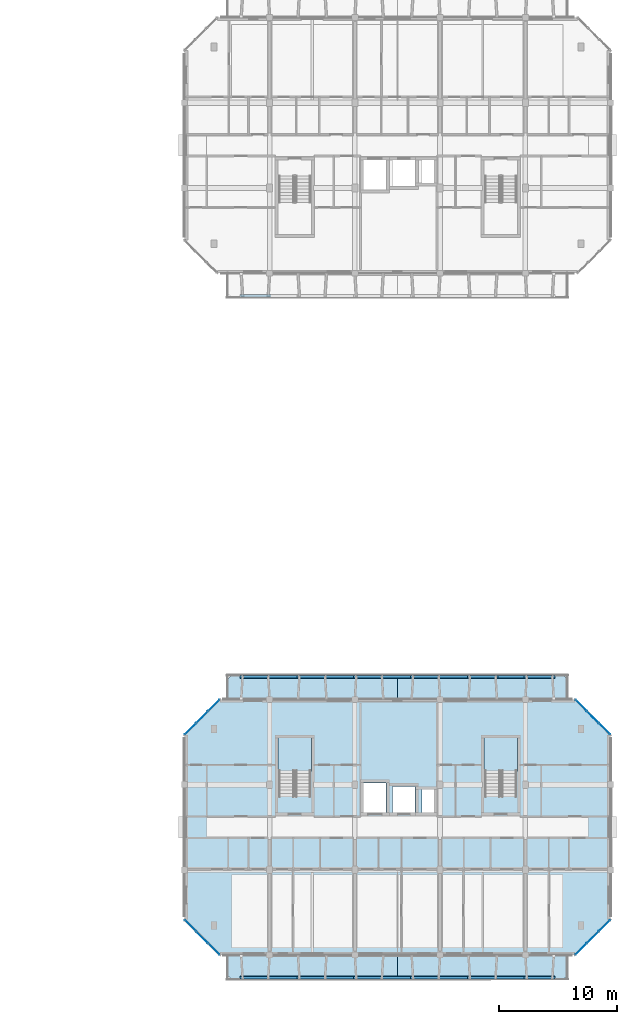
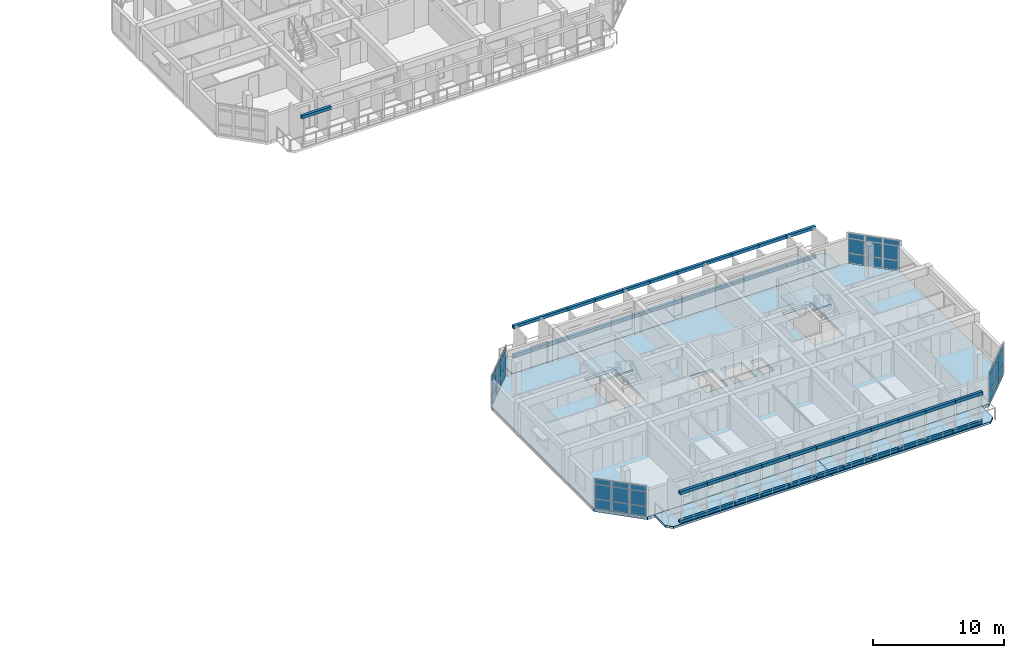
# One storey, part 13 of 44: 81 plates, 7 slabs, 6 elements without a shape of their own.
"""IFC4 building model written with IfcOpenShell, lengths in metres."""

from ifc_helpers import new_model, si_unit, direction, frame, origin, origin_2d, place, context, subcontext, project, spatial, polyline, rectangle, outline, extrude, material, layer, layer_set, type_object, element, aggregate, save


model = new_model("IFC4")

# Units and contexts
model_context = context("Model", 3, precision=1e-05, world=origin(), true_north=direction((0.0, 1.0)))
body_context = subcontext(model_context, "Body", "Model", "MODEL_VIEW")
ifc_project = project(units=[si_unit("LENGTHUNIT", "METRE"), si_unit("AREAUNIT", "SQUARE_METRE"), si_unit("VOLUMEUNIT", "CUBIC_METRE"), si_unit("PLANEANGLEUNIT", "RADIAN"), si_unit("MASSUNIT", "GRAM", prefix="KILO")], contexts=[model_context])

# Site, building, storey
site_placement = place(None, origin())
site = spatial("IfcSite", under=ifc_project, at=site_placement, CompositionType="ELEMENT")
building_placement = place(site_placement, origin())
building = spatial("IfcBuilding", under=site, at=building_placement, Name="Ochrevale Crest", CompositionType="ELEMENT")
storey_placement = place(building_placement, frame((0.0, 0.0, 21.300048828125)))
storey = spatial("IfcBuildingStorey", under=building, at=storey_placement, Name="L06", CompositionType="ELEMENT", Elevation=21.300048828125)

# Curtain wall, plates
ifc_material_1 = material(Name="Anodised aluminium 6063-T5", Category="aluminium")
ifc_layer_1 = layer(ifc_material_1, 0.14990234375)
ifc_layer_set_1 = layer_set([ifc_layer_1], Name="Anodised aluminium 6063-T5")
curtain_wall_type_1 = type_object("IfcCurtainWallType", Name="CW-WG-240x285", PredefinedType="NOTDEFINED", material=ifc_layer_set_1)
curtain_wall_1_placement = place(storey_placement, origin())
curtain_wall_1 = element("IfcCurtainWall", 1, at=curtain_wall_1_placement, inside=storey, type_object=curtain_wall_type_1, Name="Block C L06 chamfered corner wintergarden curtain wall 4", PredefinedType="NOTDEFINED")
ifc_material_2 = material(Name="Double-glazed low-E insulated glass unit", Category="glass")
ifc_layer_2 = layer(ifc_material_2, 0.028076171875)
ifc_layer_set_2 = layer_set([ifc_layer_2], Name="Double-glazed low-E insulated glass unit")
plate_type_1 = type_object("IfcPlateType", Name="CW-PNL-IGU28", PredefinedType="CURTAIN_PANEL", material=ifc_layer_set_2)
plate_1_placement = place(storey_placement, frame((165.086669921875, 33.51318359375, 0.06005859375), z_axis=(0.0, 0.0, 1.0), x_axis=(-0.707106781187, 0.707106781187, 0.0)))
plate_1 = element("IfcPlate", 2, at=plate_1_placement, type_object=plate_type_1, Name="CW15 panel 1.1", PredefinedType="CURTAIN_PANEL", context=body_context, shape_type="SweptSolid", body=[
    extrude(rectangle(XDim=1.3017578125, YDim=0.028076171875, at=origin_2d()), origin(), (0.0, 0.0, 1.0), 0.860107421875),
])
plate_2_placement = place(storey_placement, frame((165.086669921875, 33.51318359375, 0.97998046875), z_axis=(0.0, 0.0, 1.0), x_axis=(-0.707106781187, 0.707106781187, 0.0)))
plate_2 = element("IfcPlate", 3, at=plate_2_placement, type_object=plate_type_1, Name="CW15 panel 1.2", PredefinedType="CURTAIN_PANEL", context=body_context, shape_type="SweptSolid", body=[
    extrude(rectangle(XDim=1.3017578125, YDim=0.028076171875, at=origin_2d()), origin(), (0.0, 0.0, 1.0), 1.31494140625),
])
plate_3_placement = place(storey_placement, frame((165.086669921875, 33.51318359375, 2.35498046875), z_axis=(0.0, 0.0, 1.0), x_axis=(-0.707106781187, 0.707106781187, 0.0)))
plate_3 = element("IfcPlate", 4, at=plate_3_placement, type_object=plate_type_1, Name="CW15 panel 1.3", PredefinedType="CURTAIN_PANEL", context=body_context, shape_type="SweptSolid", body=[
    extrude(rectangle(XDim=1.3017578125, YDim=0.028076171875, at=origin_2d()), origin(), (0.0, 0.0, 1.0), 0.4599609375),
])
plate_4_placement = place(storey_placement, frame((164.10009765625, 34.5, 0.06005859375), z_axis=(0.0, 0.0, 1.0), x_axis=(-0.707106781187, 0.707106781187, 0.0)))
plate_4 = element("IfcPlate", 5, at=plate_4_placement, type_object=plate_type_1, Name="CW15 panel 2.1", PredefinedType="CURTAIN_PANEL", context=body_context, shape_type="SweptSolid", body=[
    extrude(rectangle(XDim=1.339111328125, YDim=0.028076171875, at=origin_2d()), origin(), (0.0, 0.0, 1.0), 0.860107421875),
])
plate_5_placement = place(storey_placement, frame((164.10009765625, 34.5, 0.97998046875), z_axis=(0.0, 0.0, 1.0), x_axis=(-0.707106781187, 0.707106781187, 0.0)))
plate_5 = element("IfcPlate", 6, at=plate_5_placement, type_object=plate_type_1, Name="CW15 panel 2.2", PredefinedType="CURTAIN_PANEL", context=body_context, shape_type="SweptSolid", body=[
    extrude(rectangle(XDim=1.339111328125, YDim=0.028076171875, at=origin_2d()), origin(), (0.0, 0.0, 1.0), 1.31494140625),
])
plate_6_placement = place(storey_placement, frame((164.10009765625, 34.5, 2.35498046875), z_axis=(0.0, 0.0, 1.0), x_axis=(-0.707106781187, 0.707106781187, 0.0)))
plate_6 = element("IfcPlate", 7, at=plate_6_placement, type_object=plate_type_1, Name="CW15 panel 2.3", PredefinedType="CURTAIN_PANEL", context=body_context, shape_type="SweptSolid", body=[
    extrude(rectangle(XDim=1.339111328125, YDim=0.028076171875, at=origin_2d()), origin(), (0.0, 0.0, 1.0), 0.4599609375),
])
plate_7_placement = place(storey_placement, frame((163.11328125, 35.48681640625, 0.06005859375), z_axis=(0.0, 0.0, 1.0), x_axis=(-0.707106781187, 0.707106781187, 0.0)))
plate_7 = element("IfcPlate", 8, at=plate_7_placement, type_object=plate_type_1, Name="CW15 panel 3.1", PredefinedType="CURTAIN_PANEL", context=body_context, shape_type="SweptSolid", body=[
    extrude(rectangle(XDim=1.3017578125, YDim=0.028076171875, at=origin_2d()), origin(), (0.0, 0.0, 1.0), 0.860107421875),
])
plate_8_placement = place(storey_placement, frame((163.11328125, 35.48681640625, 0.97998046875), z_axis=(0.0, 0.0, 1.0), x_axis=(-0.707106781187, 0.707106781187, 0.0)))
plate_8 = element("IfcPlate", 9, at=plate_8_placement, type_object=plate_type_1, Name="CW15 panel 3.2", PredefinedType="CURTAIN_PANEL", context=body_context, shape_type="SweptSolid", body=[
    extrude(rectangle(XDim=1.3017578125, YDim=0.028076171875, at=origin_2d()), origin(), (0.0, 0.0, 1.0), 1.31494140625),
])
plate_9_placement = place(storey_placement, frame((163.11328125, 35.48681640625, 2.35498046875), z_axis=(0.0, 0.0, 1.0), x_axis=(-0.707106781187, 0.707106781187, 0.0)))
plate_9 = element("IfcPlate", 10, at=plate_9_placement, type_object=plate_type_1, Name="CW15 panel 3.3", PredefinedType="CURTAIN_PANEL", context=body_context, shape_type="SweptSolid", body=[
    extrude(rectangle(XDim=1.3017578125, YDim=0.028076171875, at=origin_2d()), origin(), (0.0, 0.0, 1.0), 0.4599609375),
])
aggregate(curtain_wall_1, [plate_1, plate_2, plate_3, plate_4, plate_5, plate_6, plate_7, plate_8, plate_9])

ifc_layer_3 = layer(ifc_material_1, 0.14990234375)
ifc_layer_set_3 = layer_set([ifc_layer_3], Name="Anodised aluminium 6063-T5")
curtain_wall_type_2 = type_object("IfcCurtainWallType", Name="CW-WG-320x285", PredefinedType="NOTDEFINED", material=ifc_layer_set_3)
curtain_wall_2_placement = place(storey_placement, origin())
curtain_wall_2 = element("IfcCurtainWall", 11, at=curtain_wall_2_placement, inside=storey, type_object=curtain_wall_type_2, Name="Block C L06 chamfered corner wintergarden curtain wall 6", PredefinedType="NOTDEFINED")
plate_10_placement = place(storey_placement, frame((132.086669921875, 35.48681640625, 0.06005859375), z_axis=(0.0, 0.0, 1.0), x_axis=(-0.707106781187, -0.707106781187, 0.0)))
plate_10 = element("IfcPlate", 12, at=plate_10_placement, type_object=plate_type_1, Name="CW17 panel 1.1", PredefinedType="CURTAIN_PANEL", context=body_context, shape_type="SweptSolid", body=[
    extrude(rectangle(XDim=1.3017578125, YDim=0.028076171875, at=origin_2d()), origin(), (0.0, 0.0, 1.0), 0.860107421875),
])
plate_11_placement = place(storey_placement, frame((132.086669921875, 35.48681640625, 0.97998046875), z_axis=(0.0, 0.0, 1.0), x_axis=(-0.707106781187, -0.707106781187, 0.0)))
plate_11 = element("IfcPlate", 13, at=plate_11_placement, type_object=plate_type_1, Name="CW17 panel 1.2", PredefinedType="CURTAIN_PANEL", context=body_context, shape_type="SweptSolid", body=[
    extrude(rectangle(XDim=1.3017578125, YDim=0.028076171875, at=origin_2d()), origin(), (0.0, 0.0, 1.0), 1.31494140625),
])
plate_12_placement = place(storey_placement, frame((132.086669921875, 35.48681640625, 2.35498046875), z_axis=(0.0, 0.0, 1.0), x_axis=(-0.707106781187, -0.707106781187, 0.0)))
plate_12 = element("IfcPlate", 14, at=plate_12_placement, type_object=plate_type_1, Name="CW17 panel 1.3", PredefinedType="CURTAIN_PANEL", context=body_context, shape_type="SweptSolid", body=[
    extrude(rectangle(XDim=1.3017578125, YDim=0.028076171875, at=origin_2d()), origin(), (0.0, 0.0, 1.0), 0.4599609375),
])
plate_13_placement = place(storey_placement, frame((131.10009765625, 34.5, 0.06005859375), z_axis=(0.0, 0.0, 1.0), x_axis=(-0.707106781187, -0.707106781187, 0.0)))
plate_13 = element("IfcPlate", 15, at=plate_13_placement, type_object=plate_type_1, Name="CW17 panel 2.1", PredefinedType="CURTAIN_PANEL", context=body_context, shape_type="SweptSolid", body=[
    extrude(rectangle(XDim=1.339111328125, YDim=0.028076171875, at=origin_2d()), origin(), (0.0, 0.0, 1.0), 0.860107421875),
])
plate_14_placement = place(storey_placement, frame((131.10009765625, 34.5, 0.97998046875), z_axis=(0.0, 0.0, 1.0), x_axis=(-0.707106781187, -0.707106781187, 0.0)))
plate_14 = element("IfcPlate", 16, at=plate_14_placement, type_object=plate_type_1, Name="CW17 panel 2.2", PredefinedType="CURTAIN_PANEL", context=body_context, shape_type="SweptSolid", body=[
    extrude(rectangle(XDim=1.339111328125, YDim=0.028076171875, at=origin_2d()), origin(), (0.0, 0.0, 1.0), 1.31494140625),
])
plate_15_placement = place(storey_placement, frame((131.10009765625, 34.5, 2.35498046875), z_axis=(0.0, 0.0, 1.0), x_axis=(-0.707106781187, -0.707106781187, 0.0)))
plate_15 = element("IfcPlate", 17, at=plate_15_placement, type_object=plate_type_1, Name="CW17 panel 2.3", PredefinedType="CURTAIN_PANEL", context=body_context, shape_type="SweptSolid", body=[
    extrude(rectangle(XDim=1.339111328125, YDim=0.028076171875, at=origin_2d()), origin(), (0.0, 0.0, 1.0), 0.4599609375),
])
plate_16_placement = place(storey_placement, frame((130.11328125, 33.51318359375, 0.06005859375), z_axis=(0.0, 0.0, 1.0), x_axis=(-0.707106781187, -0.707106781187, 0.0)))
plate_16 = element("IfcPlate", 18, at=plate_16_placement, type_object=plate_type_1, Name="CW17 panel 3.1", PredefinedType="CURTAIN_PANEL", context=body_context, shape_type="SweptSolid", body=[
    extrude(rectangle(XDim=1.3017578125, YDim=0.028076171875, at=origin_2d()), origin(), (0.0, 0.0, 1.0), 0.860107421875),
])
plate_17_placement = place(storey_placement, frame((130.11328125, 33.51318359375, 0.97998046875), z_axis=(0.0, 0.0, 1.0), x_axis=(-0.707106781187, -0.707106781187, 0.0)))
plate_17 = element("IfcPlate", 19, at=plate_17_placement, type_object=plate_type_1, Name="CW17 panel 3.2", PredefinedType="CURTAIN_PANEL", context=body_context, shape_type="SweptSolid", body=[
    extrude(rectangle(XDim=1.3017578125, YDim=0.028076171875, at=origin_2d()), origin(), (0.0, 0.0, 1.0), 1.31494140625),
])
plate_18_placement = place(storey_placement, frame((130.11328125, 33.51318359375, 2.35498046875), z_axis=(0.0, 0.0, 1.0), x_axis=(-0.707106781187, -0.707106781187, 0.0)))
plate_18 = element("IfcPlate", 20, at=plate_18_placement, type_object=plate_type_1, Name="CW17 panel 3.3", PredefinedType="CURTAIN_PANEL", context=body_context, shape_type="SweptSolid", body=[
    extrude(rectangle(XDim=1.3017578125, YDim=0.028076171875, at=origin_2d()), origin(), (0.0, 0.0, 1.0), 0.4599609375),
])
aggregate(curtain_wall_2, [plate_10, plate_11, plate_12, plate_13, plate_14, plate_15, plate_16, plate_17, plate_18])

ifc_layer_4 = layer(ifc_material_1, 0.14990234375)
ifc_layer_set_4 = layer_set([ifc_layer_4], Name="Anodised aluminium 6063-T5")
curtain_wall_type_3 = type_object("IfcCurtainWallType", Name="CW-WG-420x285", PredefinedType="NOTDEFINED", material=ifc_layer_set_4)
curtain_wall_3_placement = place(storey_placement, origin())
curtain_wall_3 = element("IfcCurtainWall", 21, at=curtain_wall_3_placement, inside=storey, type_object=curtain_wall_type_3, Name="Block C L06 chamfered corner wintergarden curtain wall 8", PredefinedType="NOTDEFINED")
plate_19_placement = place(storey_placement, frame((130.11328125, 16.88671875, 0.06005859375), z_axis=(0.0, 0.0, 1.0), x_axis=(0.707106781187, -0.707106781187, 0.0)))
plate_19 = element("IfcPlate", 22, at=plate_19_placement, type_object=plate_type_1, Name="CW22 panel 1.1", PredefinedType="CURTAIN_PANEL", context=body_context, shape_type="SweptSolid", body=[
    extrude(rectangle(XDim=1.3017578125, YDim=0.028076171875, at=origin_2d()), origin(), (0.0, 0.0, 1.0), 0.860107421875),
])
plate_20_placement = place(storey_placement, frame((130.11328125, 16.88671875, 0.97998046875), z_axis=(0.0, 0.0, 1.0), x_axis=(0.707106781187, -0.707106781187, 0.0)))
plate_20 = element("IfcPlate", 23, at=plate_20_placement, type_object=plate_type_1, Name="CW22 panel 1.2", PredefinedType="CURTAIN_PANEL", context=body_context, shape_type="SweptSolid", body=[
    extrude(rectangle(XDim=1.3017578125, YDim=0.028076171875, at=origin_2d()), origin(), (0.0, 0.0, 1.0), 1.31494140625),
])
plate_21_placement = place(storey_placement, frame((130.11328125, 16.88671875, 2.35498046875), z_axis=(0.0, 0.0, 1.0), x_axis=(0.707106781187, -0.707106781187, 0.0)))
plate_21 = element("IfcPlate", 24, at=plate_21_placement, type_object=plate_type_1, Name="CW22 panel 1.3", PredefinedType="CURTAIN_PANEL", context=body_context, shape_type="SweptSolid", body=[
    extrude(rectangle(XDim=1.3017578125, YDim=0.028076171875, at=origin_2d()), origin(), (0.0, 0.0, 1.0), 0.4599609375),
])
plate_22_placement = place(storey_placement, frame((131.10009765625, 15.89990234375, 0.06005859375), z_axis=(0.0, 0.0, 1.0), x_axis=(0.707106781187, -0.707106781187, 0.0)))
plate_22 = element("IfcPlate", 25, at=plate_22_placement, type_object=plate_type_1, Name="CW22 panel 2.1", PredefinedType="CURTAIN_PANEL", context=body_context, shape_type="SweptSolid", body=[
    extrude(rectangle(XDim=1.339111328125, YDim=0.028076171875, at=origin_2d()), origin(), (0.0, 0.0, 1.0), 0.860107421875),
])
plate_23_placement = place(storey_placement, frame((131.10009765625, 15.89990234375, 0.97998046875), z_axis=(0.0, 0.0, 1.0), x_axis=(0.707106781187, -0.707106781187, 0.0)))
plate_23 = element("IfcPlate", 26, at=plate_23_placement, type_object=plate_type_1, Name="CW22 panel 2.2", PredefinedType="CURTAIN_PANEL", context=body_context, shape_type="SweptSolid", body=[
    extrude(rectangle(XDim=1.339111328125, YDim=0.028076171875, at=origin_2d()), origin(), (0.0, 0.0, 1.0), 1.31494140625),
])
plate_24_placement = place(storey_placement, frame((131.10009765625, 15.89990234375, 2.35498046875), z_axis=(0.0, 0.0, 1.0), x_axis=(0.707106781187, -0.707106781187, 0.0)))
plate_24 = element("IfcPlate", 27, at=plate_24_placement, type_object=plate_type_1, Name="CW22 panel 2.3", PredefinedType="CURTAIN_PANEL", context=body_context, shape_type="SweptSolid", body=[
    extrude(rectangle(XDim=1.339111328125, YDim=0.028076171875, at=origin_2d()), origin(), (0.0, 0.0, 1.0), 0.4599609375),
])
plate_25_placement = place(storey_placement, frame((132.086669921875, 14.913330078125, 0.06005859375), z_axis=(0.0, 0.0, 1.0), x_axis=(0.707106781187, -0.707106781187, 0.0)))
plate_25 = element("IfcPlate", 28, at=plate_25_placement, type_object=plate_type_1, Name="CW22 panel 3.1", PredefinedType="CURTAIN_PANEL", context=body_context, shape_type="SweptSolid", body=[
    extrude(rectangle(XDim=1.3017578125, YDim=0.028076171875, at=origin_2d()), origin(), (0.0, 0.0, 1.0), 0.860107421875),
])
plate_26_placement = place(storey_placement, frame((132.086669921875, 14.913330078125, 0.97998046875), z_axis=(0.0, 0.0, 1.0), x_axis=(0.707106781187, -0.707106781187, 0.0)))
plate_26 = element("IfcPlate", 29, at=plate_26_placement, type_object=plate_type_1, Name="CW22 panel 3.2", PredefinedType="CURTAIN_PANEL", context=body_context, shape_type="SweptSolid", body=[
    extrude(rectangle(XDim=1.3017578125, YDim=0.028076171875, at=origin_2d()), origin(), (0.0, 0.0, 1.0), 1.31494140625),
])
plate_27_placement = place(storey_placement, frame((132.086669921875, 14.913330078125, 2.35498046875), z_axis=(0.0, 0.0, 1.0), x_axis=(0.707106781187, -0.707106781187, 0.0)))
plate_27 = element("IfcPlate", 30, at=plate_27_placement, type_object=plate_type_1, Name="CW22 panel 3.3", PredefinedType="CURTAIN_PANEL", context=body_context, shape_type="SweptSolid", body=[
    extrude(rectangle(XDim=1.3017578125, YDim=0.028076171875, at=origin_2d()), origin(), (0.0, 0.0, 1.0), 0.4599609375),
])
aggregate(curtain_wall_3, [plate_19, plate_20, plate_21, plate_22, plate_23, plate_24, plate_25, plate_26, plate_27])

ifc_layer_5 = layer(ifc_material_1, 0.14990234375)
ifc_layer_set_5 = layer_set([ifc_layer_5], Name="Anodised aluminium 6063-T5")
curtain_wall_type_4 = type_object("IfcCurtainWallType", Name="CW-WG-360x285", PredefinedType="NOTDEFINED", material=ifc_layer_set_5)
curtain_wall_4_placement = place(storey_placement, origin())
curtain_wall_4 = element("IfcCurtainWall", 31, at=curtain_wall_4_placement, inside=storey, type_object=curtain_wall_type_4, Name="Block C L06 chamfered corner wintergarden curtain wall 2", PredefinedType="NOTDEFINED")
ifc_material_3 = material(Name="Acoustic laminated low-E insulated glass unit", Category="glass")
ifc_layer_6 = layer(ifc_material_3, 0.0380859375)
ifc_layer_set_6 = layer_set([ifc_layer_6], Name="Acoustic laminated low-E insulated glass unit")
plate_type_2 = type_object("IfcPlateType", Name="CW-PNL-IGU38", PredefinedType="CURTAIN_PANEL", material=ifc_layer_set_6)
plate_28_placement = place(storey_placement, frame((163.11328125, 14.913330078125, 0.06005859375), z_axis=(0.0, 0.0, 1.0), x_axis=(0.707106781187, 0.707106781187, 0.0)))
plate_28 = element("IfcPlate", 32, at=plate_28_placement, type_object=plate_type_2, Name="CW18 panel 1.1", PredefinedType="CURTAIN_PANEL", context=body_context, shape_type="SweptSolid", body=[
    extrude(rectangle(XDim=1.3017578125, YDim=0.0380859375, at=origin_2d()), origin(), (0.0, 0.0, 1.0), 0.860107421875),
])
plate_29_placement = place(storey_placement, frame((163.11328125, 14.913330078125, 0.97998046875), z_axis=(0.0, 0.0, 1.0), x_axis=(0.707106781187, 0.707106781187, 0.0)))
plate_29 = element("IfcPlate", 33, at=plate_29_placement, type_object=plate_type_2, Name="CW18 panel 1.2", PredefinedType="CURTAIN_PANEL", context=body_context, shape_type="SweptSolid", body=[
    extrude(rectangle(XDim=1.3017578125, YDim=0.0380859375, at=origin_2d()), origin(), (0.0, 0.0, 1.0), 1.31494140625),
])
plate_30_placement = place(storey_placement, frame((163.11328125, 14.913330078125, 2.35498046875), z_axis=(0.0, 0.0, 1.0), x_axis=(0.707106781187, 0.707106781187, 0.0)))
plate_30 = element("IfcPlate", 34, at=plate_30_placement, type_object=plate_type_2, Name="CW18 panel 1.3", PredefinedType="CURTAIN_PANEL", context=body_context, shape_type="SweptSolid", body=[
    extrude(rectangle(XDim=1.3017578125, YDim=0.0380859375, at=origin_2d()), origin(), (0.0, 0.0, 1.0), 0.4599609375),
])
plate_31_placement = place(storey_placement, frame((164.10009765625, 15.89990234375, 0.06005859375), z_axis=(0.0, 0.0, 1.0), x_axis=(0.707106781187, 0.707106781187, 0.0)))
plate_31 = element("IfcPlate", 35, at=plate_31_placement, type_object=plate_type_2, Name="CW18 panel 2.1", PredefinedType="CURTAIN_PANEL", context=body_context, shape_type="SweptSolid", body=[
    extrude(rectangle(XDim=1.339111328125, YDim=0.0380859375, at=origin_2d()), origin(), (0.0, 0.0, 1.0), 0.860107421875),
])
plate_32_placement = place(storey_placement, frame((164.10009765625, 15.89990234375, 0.97998046875), z_axis=(0.0, 0.0, 1.0), x_axis=(0.707106781187, 0.707106781187, 0.0)))
plate_32 = element("IfcPlate", 36, at=plate_32_placement, type_object=plate_type_2, Name="CW18 panel 2.2", PredefinedType="CURTAIN_PANEL", context=body_context, shape_type="SweptSolid", body=[
    extrude(rectangle(XDim=1.339111328125, YDim=0.0380859375, at=origin_2d()), origin(), (0.0, 0.0, 1.0), 1.31494140625),
])
plate_33_placement = place(storey_placement, frame((164.10009765625, 15.89990234375, 2.35498046875), z_axis=(0.0, 0.0, 1.0), x_axis=(0.707106781187, 0.707106781187, 0.0)))
plate_33 = element("IfcPlate", 37, at=plate_33_placement, type_object=plate_type_2, Name="CW18 panel 2.3", PredefinedType="CURTAIN_PANEL", context=body_context, shape_type="SweptSolid", body=[
    extrude(rectangle(XDim=1.339111328125, YDim=0.0380859375, at=origin_2d()), origin(), (0.0, 0.0, 1.0), 0.4599609375),
])
plate_34_placement = place(storey_placement, frame((165.086669921875, 16.88671875, 0.06005859375), z_axis=(0.0, 0.0, 1.0), x_axis=(0.707106781187, 0.707106781187, 0.0)))
plate_34 = element("IfcPlate", 38, at=plate_34_placement, type_object=plate_type_2, Name="CW18 panel 3.1", PredefinedType="CURTAIN_PANEL", context=body_context, shape_type="SweptSolid", body=[
    extrude(rectangle(XDim=1.3017578125, YDim=0.0380859375, at=origin_2d()), origin(), (0.0, 0.0, 1.0), 0.860107421875),
])
plate_35_placement = place(storey_placement, frame((165.086669921875, 16.88671875, 0.97998046875), z_axis=(0.0, 0.0, 1.0), x_axis=(0.707106781187, 0.707106781187, 0.0)))
plate_35 = element("IfcPlate", 39, at=plate_35_placement, type_object=plate_type_2, Name="CW18 panel 3.2", PredefinedType="CURTAIN_PANEL", context=body_context, shape_type="SweptSolid", body=[
    extrude(rectangle(XDim=1.3017578125, YDim=0.0380859375, at=origin_2d()), origin(), (0.0, 0.0, 1.0), 1.31494140625),
])
plate_36_placement = place(storey_placement, frame((165.086669921875, 16.88671875, 2.35498046875), z_axis=(0.0, 0.0, 1.0), x_axis=(0.707106781187, 0.707106781187, 0.0)))
plate_36 = element("IfcPlate", 40, at=plate_36_placement, type_object=plate_type_2, Name="CW18 panel 3.3", PredefinedType="CURTAIN_PANEL", context=body_context, shape_type="SweptSolid", body=[
    extrude(rectangle(XDim=1.3017578125, YDim=0.0380859375, at=origin_2d()), origin(), (0.0, 0.0, 1.0), 0.4599609375),
])
aggregate(curtain_wall_4, [plate_28, plate_29, plate_30, plate_31, plate_32, plate_33, plate_34, plate_35, plate_36])

# Plates
ifc_material_4 = material(Name="Precast concrete C40/50", Category="concrete")
ifc_layer_7 = layer(ifc_material_4, 0.06005859375)
ifc_layer_set_7 = layer_set([ifc_layer_7], Name="Precast concrete C40/50")
plate_type_3 = type_object("IfcPlateType", Name="PLT-HC-HEAD-60", PredefinedType="USERDEFINED", material=ifc_layer_set_7)
for number, where, z_axis, x_axis, name in (
    (41, (135.60009765625, 12.5, 2.669921875), (0.0, 0.0, 1.0), (1.0, 0.0, 0.0), "Block C L06 S honeycomb arched lintel fascia 1"),
    (42, (138.0, 12.5, 2.669921875), (0.0, 0.0, 1.0), (1.0, 0.0, 0.0), "Block C L06 S honeycomb arched lintel fascia 2"),
    (43, (140.39990234375, 12.5, 2.669921875), (0.0, 0.0, 1.0), (1.0, 0.0, 0.0), "Block C L06 S honeycomb arched lintel fascia 3"),
    (44, (142.800048828125, 12.5, 2.669921875), (0.0, 0.0, 1.0), (1.0, 0.0, 0.0), "Block C L06 S honeycomb arched lintel fascia 4"),
    (45, (145.199951171875, 12.5, 2.669921875), (0.0, 0.0, 1.0), (1.0, 0.0, 0.0), "Block C L06 S honeycomb arched lintel fascia 5"),
    (46, (147.60009765625, 12.5, 2.669921875), (0.0, 0.0, 1.0), (1.0, 0.0, 0.0), "Block C L06 S honeycomb arched lintel fascia 6"),
    (47, (150.0, 12.5, 2.669921875), (0.0, 0.0, 1.0), (1.0, 0.0, 0.0), "Block C L06 S honeycomb arched lintel fascia 7"),
    (48, (152.39990234375, 12.5, 2.669921875), (0.0, 0.0, 1.0), (1.0, 0.0, 0.0), "Block C L06 S honeycomb arched lintel fascia 8"),
    (49, (154.800048828125, 12.5, 2.669921875), (0.0, 0.0, 1.0), (1.0, 0.0, 0.0), "Block C L06 S honeycomb arched lintel fascia 9"),
    (50, (157.199951171875, 12.5, 2.669921875), (0.0, 0.0, 1.0), (1.0, 0.0, 0.0), "Block C L06 S honeycomb arched lintel fascia 10"),
    (51, (159.60009765625, 12.5, 2.669921875), (0.0, 0.0, 1.0), (1.0, 0.0, 0.0), "Block C L06 S honeycomb arched lintel fascia 11"),
    (52, (135.60009765625, 37.89990234375, 2.669921875), (0.0, 0.0, 1.0), (1.0, 0.0, 0.0), "Block C L06 N honeycomb arched lintel fascia 1"),
    (53, (138.0, 37.89990234375, 2.669921875), (0.0, 0.0, 1.0), (1.0, 0.0, 0.0), "Block C L06 N honeycomb arched lintel fascia 2"),
    (54, (140.39990234375, 37.89990234375, 2.669921875), (0.0, 0.0, 1.0), (1.0, 0.0, 0.0), "Block C L06 N honeycomb arched lintel fascia 3"),
    (55, (142.800048828125, 37.89990234375, 2.669921875), (0.0, 0.0, 1.0), (1.0, 0.0, 0.0), "Block C L06 N honeycomb arched lintel fascia 4"),
    (56, (145.199951171875, 37.89990234375, 2.669921875), (0.0, 0.0, 1.0), (1.0, 0.0, 0.0), "Block C L06 N honeycomb arched lintel fascia 5"),
    (57, (147.60009765625, 37.89990234375, 2.669921875), (0.0, 0.0, 1.0), (1.0, 0.0, 0.0), "Block C L06 N honeycomb arched lintel fascia 6"),
    (58, (150.0, 37.89990234375, 2.669921875), (0.0, 0.0, 1.0), (1.0, 0.0, 0.0), "Block C L06 N honeycomb arched lintel fascia 7"),
    (59, (152.39990234375, 37.89990234375, 2.669921875), (0.0, 0.0, 1.0), (1.0, 0.0, 0.0), "Block C L06 N honeycomb arched lintel fascia 8"),
    (60, (154.800048828125, 37.89990234375, 2.669921875), (0.0, 0.0, 1.0), (1.0, 0.0, 0.0), "Block C L06 N honeycomb arched lintel fascia 9"),
    (61, (157.199951171875, 37.89990234375, 2.669921875), (0.0, 0.0, 1.0), (1.0, 0.0, 0.0), "Block C L06 N honeycomb arched lintel fascia 10"),
    (62, (159.60009765625, 37.89990234375, 2.669921875), (0.0, 0.0, 1.0), (1.0, 0.0, 0.0), "Block C L06 N honeycomb arched lintel fascia 11"),
    (63, (135.60009765625, 70.10009765625, 2.669921875), (0.0, 0.0, 1.0), (1.0, 0.0, 0.0), "Block D L06 S honeycomb arched lintel fascia 1"),
):
    element("IfcPlate", number, at=place(storey_placement, frame(where, z_axis=z_axis, x_axis=x_axis)), inside=storey, type_object=plate_type_3, Name=name, ObjectType="FACADE FASCIA PLATE", PredefinedType="USERDEFINED", context=body_context, shape_type="SweptSolid", body=[
        extrude(rectangle(XDim=2.60009765625, YDim=0.239990234375, at=origin_2d()), origin(), (0.0, 0.0, 1.0), 0.280029296875),
    ])
ifc_layer_8 = layer(ifc_material_4, 0.044921875)
ifc_layer_set_8 = layer_set([ifc_layer_8], Name="Precast concrete C40/50")
plate_type_4 = type_object("IfcPlateType", Name="PLT-HC-SILL-45", PredefinedType="USERDEFINED", material=ifc_layer_set_8)
for number, where, z_axis, x_axis, name in (
    (64, (135.60009765625, 12.5, 0.0), (0.0, 0.0, 1.0), (1.0, 0.0, 0.0), "Block C L06 S honeycomb sill coping plate 1"),
    (65, (138.0, 12.5, 0.0), (0.0, 0.0, 1.0), (1.0, 0.0, 0.0), "Block C L06 S honeycomb sill coping plate 2"),
    (66, (140.39990234375, 12.5, 0.0), (0.0, 0.0, 1.0), (1.0, 0.0, 0.0), "Block C L06 S honeycomb sill coping plate 3"),
    (67, (142.800048828125, 12.5, 0.0), (0.0, 0.0, 1.0), (1.0, 0.0, 0.0), "Block C L06 S honeycomb sill coping plate 4"),
    (68, (145.199951171875, 12.5, 0.0), (0.0, 0.0, 1.0), (1.0, 0.0, 0.0), "Block C L06 S honeycomb sill coping plate 5"),
    (69, (147.60009765625, 12.5, 0.0), (0.0, 0.0, 1.0), (1.0, 0.0, 0.0), "Block C L06 S honeycomb sill coping plate 6"),
    (70, (150.0, 12.5, 0.0), (0.0, 0.0, 1.0), (1.0, 0.0, 0.0), "Block C L06 S honeycomb sill coping plate 7"),
    (71, (152.39990234375, 12.5, 0.0), (0.0, 0.0, 1.0), (1.0, 0.0, 0.0), "Block C L06 S honeycomb sill coping plate 8"),
    (72, (154.800048828125, 12.5, 0.0), (0.0, 0.0, 1.0), (1.0, 0.0, 0.0), "Block C L06 S honeycomb sill coping plate 9"),
    (73, (157.199951171875, 12.5, 0.0), (0.0, 0.0, 1.0), (1.0, 0.0, 0.0), "Block C L06 S honeycomb sill coping plate 10"),
    (74, (159.60009765625, 12.5, 0.0), (0.0, 0.0, 1.0), (1.0, 0.0, 0.0), "Block C L06 S honeycomb sill coping plate 11"),
    (75, (135.60009765625, 37.89990234375, 0.0), (0.0, 0.0, 1.0), (1.0, 0.0, 0.0), "Block C L06 N honeycomb sill coping plate 1"),
    (76, (138.0, 37.89990234375, 0.0), (0.0, 0.0, 1.0), (1.0, 0.0, 0.0), "Block C L06 N honeycomb sill coping plate 2"),
    (77, (140.39990234375, 37.89990234375, 0.0), (0.0, 0.0, 1.0), (1.0, 0.0, 0.0), "Block C L06 N honeycomb sill coping plate 3"),
    (78, (142.800048828125, 37.89990234375, 0.0), (0.0, 0.0, 1.0), (1.0, 0.0, 0.0), "Block C L06 N honeycomb sill coping plate 4"),
    (79, (145.199951171875, 37.89990234375, 0.0), (0.0, 0.0, 1.0), (1.0, 0.0, 0.0), "Block C L06 N honeycomb sill coping plate 5"),
    (80, (147.60009765625, 37.89990234375, 0.0), (0.0, 0.0, 1.0), (1.0, 0.0, 0.0), "Block C L06 N honeycomb sill coping plate 6"),
    (81, (150.0, 37.89990234375, 0.0), (0.0, 0.0, 1.0), (1.0, 0.0, 0.0), "Block C L06 N honeycomb sill coping plate 7"),
    (82, (152.39990234375, 37.89990234375, 0.0), (0.0, 0.0, 1.0), (1.0, 0.0, 0.0), "Block C L06 N honeycomb sill coping plate 8"),
    (83, (154.800048828125, 37.89990234375, 0.0), (0.0, 0.0, 1.0), (1.0, 0.0, 0.0), "Block C L06 N honeycomb sill coping plate 9"),
    (84, (157.199951171875, 37.89990234375, 0.0), (0.0, 0.0, 1.0), (1.0, 0.0, 0.0), "Block C L06 N honeycomb sill coping plate 10"),
    (85, (159.60009765625, 37.89990234375, 0.0), (0.0, 0.0, 1.0), (1.0, 0.0, 0.0), "Block C L06 N honeycomb sill coping plate 11"),
):
    element("IfcPlate", number, at=place(storey_placement, frame(where, z_axis=z_axis, x_axis=x_axis)), inside=storey, type_object=plate_type_4, Name=name, ObjectType="SILL COPING PLATE", PredefinedType="USERDEFINED", context=body_context, shape_type="SweptSolid", body=[
        extrude(rectangle(XDim=2.60009765625, YDim=0.219970703125, at=origin_2d()), origin(), (0.0, 0.0, 1.0), 0.260009765625),
    ])

# Slabs
ifc_layer_9 = layer(ifc_material_4, 0.199951171875)
ifc_layer_set_9 = layer_set([ifc_layer_9], Name="Precast concrete C40/50")
slab_type_1 = type_object("IfcSlabType", Name="SLB-BAL-200", PredefinedType="FLOOR", material=ifc_layer_set_9)
slab_1_placement = place(storey_placement, frame((0.0, 0.0, -0.199951171875)))
element("IfcSlab", 86, at=slab_1_placement, inside=storey, type_object=slab_type_1, Name="Block C L06 S1 precast loggia balcony slab", PredefinedType="FLOOR", context=body_context, shape_type="SweptSolid", body=[
    extrude(outline(polyline([(133.64990234375, 12.300048828125), (147.60009765625, 12.300048828125), (147.60009765625, 14.39990234375), (133.199951171875, 14.39990234375), (133.199951171875, 12.75), (133.64990234375, 12.300048828125)])), origin(), (0.0, 0.0, 1.0), 0.199951171875),
])
slab_2_placement = place(storey_placement, frame((0.0, 0.0, -0.199951171875)))
element("IfcSlab", 87, at=slab_2_placement, inside=storey, type_object=slab_type_1, Name="Block C L06 S2 precast loggia balcony slab", PredefinedType="FLOOR", context=body_context, shape_type="SweptSolid", body=[
    extrude(outline(polyline([(147.60009765625, 12.300048828125), (161.550048828125, 12.300048828125), (162.0, 12.75), (162.0, 14.39990234375), (147.60009765625, 14.39990234375), (147.60009765625, 12.300048828125)])), origin(), (0.0, 0.0, 1.0), 0.199951171875),
])
slab_3_placement = place(storey_placement, frame((0.0, 0.0, -0.199951171875)))
element("IfcSlab", 88, at=slab_3_placement, inside=storey, type_object=slab_type_1, Name="Block C L06 N1 precast loggia balcony slab", PredefinedType="FLOOR", context=body_context, shape_type="SweptSolid", body=[
    extrude(outline(polyline([(133.199951171875, 36.0), (147.60009765625, 36.0), (147.60009765625, 38.10009765625), (133.64990234375, 38.10009765625), (133.199951171875, 37.64990234375), (133.199951171875, 36.0)])), origin(), (0.0, 0.0, 1.0), 0.199951171875),
])
slab_4_placement = place(storey_placement, frame((0.0, 0.0, -0.199951171875)))
element("IfcSlab", 89, at=slab_4_placement, inside=storey, type_object=slab_type_1, Name="Block C L06 N2 precast loggia balcony slab", PredefinedType="FLOOR", context=body_context, shape_type="SweptSolid", body=[
    extrude(outline(polyline([(147.60009765625, 36.0), (162.0, 36.0), (162.0, 37.64990234375), (161.550048828125, 38.10009765625), (147.60009765625, 38.10009765625), (147.60009765625, 36.0)])), origin(), (0.0, 0.0, 1.0), 0.199951171875),
])
ifc_layer_10 = layer(ifc_material_4, 0.27490234375)
ifc_layer_set_10 = layer_set([ifc_layer_10], Name="Precast concrete C40/50")
slab_type_2 = type_object("IfcSlabType", Name="SLB-RES-275", PredefinedType="FLOOR", material=ifc_layer_set_10)
slab_5_placement = place(storey_placement, frame((0.0, 0.0, -0.275146484375)))
element("IfcSlab", 90, at=slab_5_placement, inside=storey, type_object=slab_type_2, Name="Block C L06 composite hollowcore floor slab", PredefinedType="FLOOR", context=body_context, shape_type="SweptSolid", body=[
    extrude(outline(polyline([(132.60009765625, 14.39990234375), (162.60009765625, 14.39990234375), (165.60009765625, 17.39990234375), (165.60009765625, 33.0), (162.60009765625, 36.0), (132.60009765625, 36.0), (129.60009765625, 33.0), (129.60009765625, 17.39990234375), (132.60009765625, 14.39990234375)]), holes=[polyline([(140.25, 27.824951171875), (140.25, 32.72509765625), (137.60009765625, 32.72509765625), (137.60009765625, 27.824951171875), (140.25, 27.824951171875)]), polyline([(157.64990234375, 27.824951171875), (157.64990234375, 32.72509765625), (155.0, 32.72509765625), (155.0, 27.824951171875), (157.64990234375, 27.824951171875)]), polyline([(144.75, 26.449951171875), (146.64990234375, 26.449951171875), (146.64990234375, 28.949951171875), (144.75, 28.949951171875), (144.75, 26.449951171875)]), polyline([(147.199951171875, 26.449951171875), (149.10009765625, 26.449951171875), (149.10009765625, 28.64990234375), (147.199951171875, 28.64990234375), (147.199951171875, 26.449951171875)]), polyline([(149.669921875, 26.419921875), (150.679931640625, 26.419921875), (150.679931640625, 28.3798828125), (149.669921875, 28.3798828125), (149.669921875, 26.419921875)])]), origin(), (0.0, 0.0, 1.0), 0.275146484375),
])

# Stair, slab
stair_type = type_object("IfcStairType", Name="ST-CORE-DOG", PredefinedType="HALF_TURN_STAIR", material=ifc_material_4)
stair_1_placement = place(storey_placement, origin())
stair_1 = element("IfcStair", 91, at=stair_1_placement, inside=storey, type_object=stair_type, Name="L06 Block C Fire Stair 1", PredefinedType="HALF_TURN_STAIR")
ifc_layer_11 = layer(ifc_material_4, 0.199951171875)
ifc_layer_set_11 = layer_set([ifc_layer_11], Name="Precast concrete C40/50")
slab_type_3 = type_object("IfcSlabType", Name="SLB-ST-LAND", PredefinedType="LANDING", material=ifc_layer_set_11)
slab_6_placement = place(storey_placement, frame((0.0, 0.0, 1.375)))
slab_6 = element("IfcSlab", 92, at=slab_6_placement, type_object=slab_type_3, Name="ST-C1 landing 1", PredefinedType="LANDING", context=body_context, shape_type="SweptSolid", body=[
    extrude(outline(polyline([(140.330078125, 29.93505859375), (140.330078125, 32.804931640625), (137.52001953125, 32.804931640625), (137.52001953125, 29.93505859375), (140.330078125, 29.93505859375)])), origin(), (0.0, 0.0, 1.0), 0.199951171875),
])
aggregate(stair_1, [slab_6])

stair_2_placement = place(storey_placement, origin())
stair_2 = element("IfcStair", 93, at=stair_2_placement, inside=storey, type_object=stair_type, Name="L06 Block C Fire Stair 2", PredefinedType="HALF_TURN_STAIR")
slab_7_placement = place(storey_placement, frame((0.0, 0.0, 1.375)))
slab_7 = element("IfcSlab", 94, at=slab_7_placement, type_object=slab_type_3, Name="ST-C2 landing 1", PredefinedType="LANDING", context=body_context, shape_type="SweptSolid", body=[
    extrude(outline(polyline([(157.72998046875, 29.93505859375), (157.72998046875, 32.804931640625), (154.919921875, 32.804931640625), (154.919921875, 29.93505859375), (157.72998046875, 29.93505859375)])), origin(), (0.0, 0.0, 1.0), 0.199951171875),
])
aggregate(stair_2, [slab_7])

save(model, "model.ifc")
